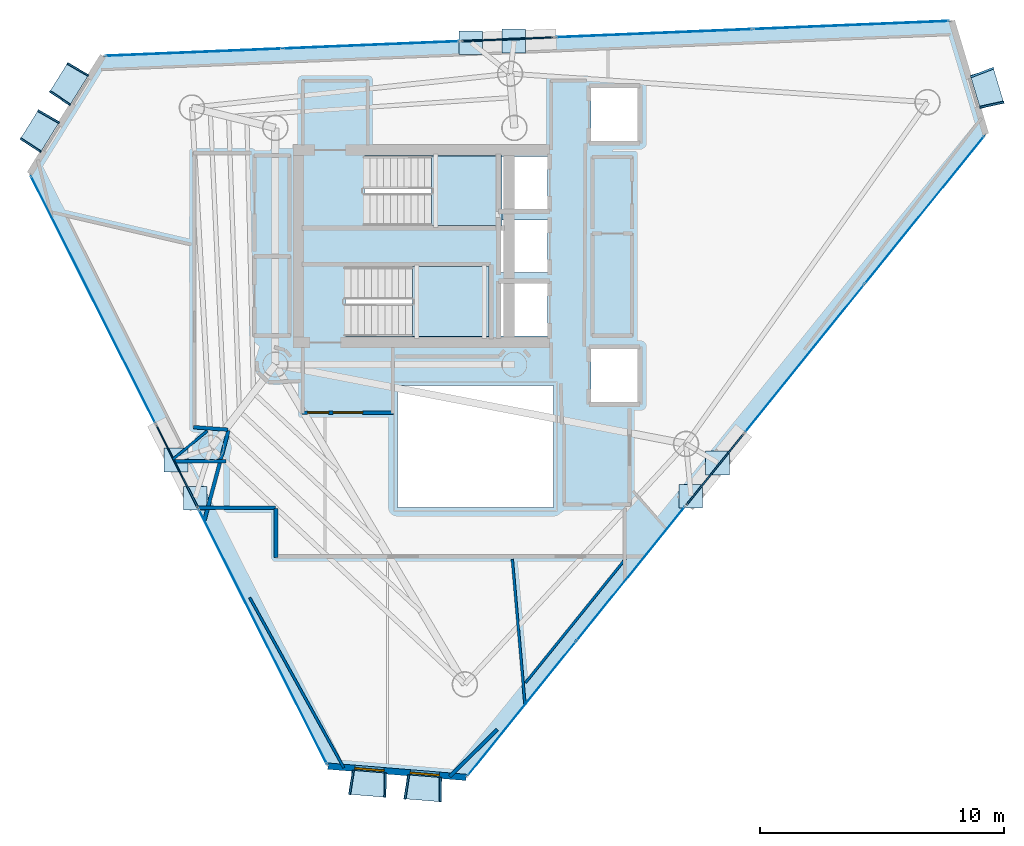
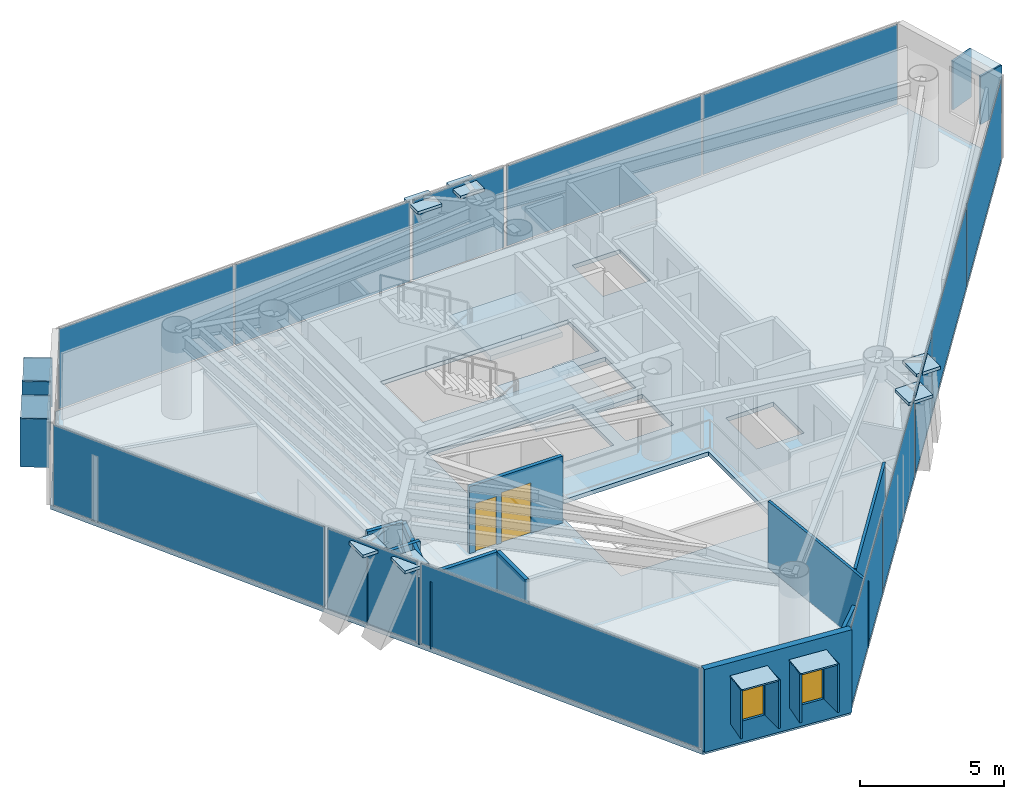
# One storey, part 14 of 19: 34 plates, 12 walls, 3 slabs, 2 doors, 2 windows, 4 openings, 11 elements without a shape of their own.
"""IFC4 building model written with IfcOpenShell, lengths in metres."""

from ifc_helpers import new_model, si_unit, direction, frame, frame_2d, origin, origin_2d, place, context, subcontext, project, spatial, polyline, rectangle, outline, extrude, material, layer, layer_set, type_object, element, fill, aggregate, save


model = new_model("IFC4")

# Units and contexts
model_context = context("Model", 3, precision=1e-05, world=origin(), true_north=direction((0.0, 1.0)))
body_context = subcontext(model_context, "Body", "Model", "MODEL_VIEW")
ifc_project = project(units=[si_unit("LENGTHUNIT", "METRE"), si_unit("AREAUNIT", "SQUARE_METRE"), si_unit("VOLUMEUNIT", "CUBIC_METRE"), si_unit("PLANEANGLEUNIT", "RADIAN"), si_unit("MASSUNIT", "GRAM", prefix="KILO")], contexts=[model_context])

# Site, building, storey
site_placement = place(None, origin())
site = spatial("IfcSite", under=ifc_project, at=site_placement, CompositionType="ELEMENT")
building_placement = place(site_placement, origin())
building = spatial("IfcBuilding", under=site, at=building_placement, Name="Qianvela Tower", CompositionType="ELEMENT")
storey_placement = place(building_placement, frame((0.0, 0.0, 261.199951171875)))
storey = spatial("IfcBuildingStorey", under=building, at=storey_placement, Name="L67", CompositionType="ELEMENT", Elevation=261.199951171875)

# Curtain wall, plate
ifc_material_1 = material(Name="Anodised Architectural Aluminium and Insulated Spandrel Panel", Category="aluminium")
ifc_layer_1 = layer(ifc_material_1, 0.179931640625)
ifc_layer_set_1 = layer_set([ifc_layer_1], Name="Anodised Architectural Aluminium and Insulated Spandrel Panel")
curtain_wall_type_1 = type_object("IfcCurtainWallType", Name="CW-BRACEBAY", PredefinedType="USERDEFINED", material=ifc_layer_set_1)
curtain_wall_1_placement = place(storey_placement, origin())
curtain_wall_1 = element("IfcCurtainWall", 1, at=curtain_wall_1_placement, inside=storey, type_object=curtain_wall_type_1, Name="L67 CW-BRACEBAY Curtain Wall 02B", ObjectType="CURTAIN_WALL_SYSTEM", PredefinedType="USERDEFINED")
ifc_material_2 = material(Name="Insulated Aluminium Spandrel Panel with Mineral-Wool Backpan", Category="aluminium")
ifc_layer_2 = layer(ifc_material_2, 0.06005859375)
ifc_layer_set_2 = layer_set([ifc_layer_2], Name="Insulated Aluminium Spandrel Panel with Mineral-Wool Backpan")
plate_type_1 = type_object("IfcPlateType", Name="CW-BRACEBAY-PNL", PredefinedType="CURTAIN_PANEL", material=ifc_layer_set_2)
plate_1_placement = place(storey_placement, frame((38.11572265625, 37.182861328125, 0.06494140625), z_axis=(0.0, 0.0, 1.0), x_axis=(-0.999147122375, -0.041291982869, 0.0)))
plate_1 = element("IfcPlate", 2, at=plate_1_placement, type_object=plate_type_1, Name="CW-9 panel 1.1", PredefinedType="CURTAIN_PANEL", context=body_context, shape_type="SweptSolid", body=[
    extrude(rectangle(XDim=3.739990234375, YDim=0.06005859375, at=origin_2d()), origin(), (0.0, 0.0, 1.0), 3.389892578125),
])
aggregate(curtain_wall_1, [plate_1])

curtain_wall_2_placement = place(storey_placement, origin())
curtain_wall_2 = element("IfcCurtainWall", 3, at=curtain_wall_2_placement, inside=storey, type_object=curtain_wall_type_1, Name="L67 CW-BRACEBAY Curtain Wall 04B", ObjectType="CURTAIN_WALL_SYSTEM", PredefinedType="USERDEFINED")
plate_2_placement = place(storey_placement, frame((24.57421875, 19.67529296875, 0.06494140625), z_axis=(0.0, 0.0, 1.0), x_axis=(0.449634610809, -0.893212582067, 0.0)))
plate_2 = element("IfcPlate", 4, at=plate_2_placement, type_object=plate_type_1, Name="CW-9 panel 1.1", PredefinedType="CURTAIN_PANEL", context=body_context, shape_type="SweptSolid", body=[
    extrude(rectangle(XDim=3.75, YDim=0.06005859375, at=origin_2d()), origin(), (0.0, 0.0, 1.0), 3.389892578125),
])
aggregate(curtain_wall_2, [plate_2])

curtain_wall_3_placement = place(storey_placement, origin())
curtain_wall_3 = element("IfcCurtainWall", 5, at=curtain_wall_3_placement, inside=storey, type_object=curtain_wall_type_1, Name="L67 CW-BRACEBAY Curtain Wall 06B", ObjectType="CURTAIN_WALL_SYSTEM", PredefinedType="USERDEFINED")
plate_3_placement = place(storey_placement, frame((46.619384765625, 19.549072265625, 0.06494140625), z_axis=(0.0, 0.0, 1.0), x_axis=(0.628321305784, 0.77795394253, 0.0)))
plate_3 = element("IfcPlate", 6, at=plate_3_placement, type_object=plate_type_1, Name="CW-9 panel 1.1", PredefinedType="CURTAIN_PANEL", context=body_context, shape_type="SweptSolid", body=[
    extrude(rectangle(XDim=3.699951171875, YDim=0.06005859375, at=origin_2d()), origin(), (0.0, 0.0, 1.0), 3.389892578125),
])
aggregate(curtain_wall_3, [plate_3])

# Curtain wall, plates
ifc_material_3 = material(Name="Anodised Architectural Aluminium and Low-E Glass", Category="aluminium")
ifc_layer_3 = layer(ifc_material_3, 0.159912109375)
ifc_layer_set_3 = layer_set([ifc_layer_3], Name="Anodised Architectural Aluminium and Low-E Glass")
curtain_wall_type_2 = type_object("IfcCurtainWallType", Name="CW-COLIV-Z56", PredefinedType="USERDEFINED", material=ifc_layer_set_3)
curtain_wall_4_placement = place(storey_placement, origin())
curtain_wall_4 = element("IfcCurtainWall", 7, at=curtain_wall_4_placement, inside=storey, type_object=curtain_wall_type_2, Name="L67 CW-COLIV-Z56 Curtain Wall 02A", ObjectType="CURTAIN_WALL_SYSTEM", PredefinedType="USERDEFINED")
ifc_material_4 = material(Name="Double-Silver Low-E Insulated Glass", Category="glass")
ifc_layer_4 = layer(ifc_material_4, 0.028076171875)
ifc_layer_set_4 = layer_set([ifc_layer_4], Name="Double-Silver Low-E Insulated Glass")
plate_type_2 = type_object("IfcPlateType", Name="CW-COLIV-Z56-PNL", PredefinedType="CURTAIN_PANEL", material=ifc_layer_set_4)
plate_4_placement = place(storey_placement, frame((52.202392578125, 37.76513671875, 0.06005859375), z_axis=(0.0, 0.0, 1.0), x_axis=(-0.999146816899, -0.041299373858, 0.0)))
plate_4 = element("IfcPlate", 8, at=plate_4_placement, type_object=plate_type_2, Name="CW-5 panel 1.1", PredefinedType="CURTAIN_PANEL", context=body_context, shape_type="SweptSolid", body=[
    extrude(rectangle(XDim=8.0224609375, YDim=0.028076171875, at=origin_2d()), origin(), (0.0, 0.0, 1.0), 3.39990234375),
])
plate_5_placement = place(storey_placement, frame((44.121826171875, 37.43115234375, 0.06005859375), z_axis=(0.0, 0.0, 1.0), x_axis=(-0.999146816899, -0.041299373858, 0.0)))
plate_5 = element("IfcPlate", 9, at=plate_5_placement, type_object=plate_type_2, Name="CW-5 panel 2.1", PredefinedType="CURTAIN_PANEL", context=body_context, shape_type="SweptSolid", body=[
    extrude(rectangle(XDim=8.0224609375, YDim=0.028076171875, at=origin_2d()), origin(), (0.0, 0.0, 1.0), 3.39990234375),
])
aggregate(curtain_wall_4, [plate_4, plate_5])

curtain_wall_5_placement = place(storey_placement, origin())
curtain_wall_5 = element("IfcCurtainWall", 10, at=curtain_wall_5_placement, inside=storey, type_object=curtain_wall_type_2, Name="L67 CW-COLIV-Z56 Curtain Wall 02C", ObjectType="CURTAIN_WALL_SYSTEM", PredefinedType="USERDEFINED")
plate_6_placement = place(storey_placement, frame((32.517822265625, 36.951416015625, 0.06005859375), z_axis=(0.0, 0.0, 1.0), x_axis=(-0.999146806727, -0.041299619949, 0.0)))
plate_6 = element("IfcPlate", 11, at=plate_6_placement, type_object=plate_type_2, Name="CW-5 panel 1.1", PredefinedType="CURTAIN_PANEL", context=body_context, shape_type="SweptSolid", body=[
    extrude(rectangle(XDim=7.205322265625, YDim=0.028076171875, at=origin_2d()), origin(), (0.0, 0.0, 1.0), 3.39990234375),
])
plate_7_placement = place(storey_placement, frame((25.25390625, 36.651123046875, 0.06005859375), z_axis=(0.0, 0.0, 1.0), x_axis=(-0.999146806727, -0.041299619949, 0.0)))
plate_7 = element("IfcPlate", 12, at=plate_7_placement, type_object=plate_type_2, Name="CW-5 panel 2.1", PredefinedType="CURTAIN_PANEL", context=body_context, shape_type="SweptSolid", body=[
    extrude(rectangle(XDim=7.205322265625, YDim=0.028076171875, at=origin_2d()), origin(), (0.0, 0.0, 1.0), 3.39990234375),
])
aggregate(curtain_wall_5, [plate_6, plate_7])

# Curtain wall, plate
curtain_wall_6_placement = place(storey_placement, origin())
curtain_wall_6 = element("IfcCurtainWall", 13, at=curtain_wall_6_placement, inside=storey, type_object=curtain_wall_type_2, Name="L67 CW-COLIV-Z56 Curtain Wall 04A", ObjectType="CURTAIN_WALL_SYSTEM", PredefinedType="USERDEFINED")
plate_8_placement = place(storey_placement, frame((21.130126953125, 26.517333984375, 0.06005859375), z_axis=(0.0, 0.0, 1.0), x_axis=(0.449628068959, -0.893215875141, 0.0)))
plate_8 = element("IfcPlate", 14, at=plate_8_placement, type_object=plate_type_2, Name="CW-5 panel 1.1", PredefinedType="CURTAIN_PANEL", context=body_context, shape_type="SweptSolid", body=[
    extrude(rectangle(XDim=11.309814453125, YDim=0.028076171875, at=origin_2d()), origin(), (0.0, 0.0, 1.0), 3.39990234375),
])
aggregate(curtain_wall_6, [plate_8])

curtain_wall_7_placement = place(storey_placement, origin())
curtain_wall_7 = element("IfcCurtainWall", 15, at=curtain_wall_7_placement, inside=storey, type_object=curtain_wall_type_2, Name="L67 CW-COLIV-Z56 Curtain Wall 04C", ObjectType="CURTAIN_WALL_SYSTEM", PredefinedType="USERDEFINED")
plate_9_placement = place(storey_placement, frame((28.091552734375, 12.688232421875, 0.06005859375), z_axis=(0.0, 0.0, 1.0), x_axis=(0.449629342454, -0.893215234087, 0.0)))
plate_9 = element("IfcPlate", 16, at=plate_9_placement, type_object=plate_type_2, Name="CW-5 panel 1.1", PredefinedType="CURTAIN_PANEL", context=body_context, shape_type="SweptSolid", body=[
    extrude(rectangle(XDim=11.634765625, YDim=0.028076171875, at=origin_2d()), origin(), (0.0, 0.0, 1.0), 3.39990234375),
])
aggregate(curtain_wall_7, [plate_9])

# Curtain wall, plates
curtain_wall_8_placement = place(storey_placement, origin())
curtain_wall_8 = element("IfcCurtainWall", 17, at=curtain_wall_8_placement, inside=storey, type_object=curtain_wall_type_2, Name="L67 CW-COLIV-Z56 Curtain Wall 06A", ObjectType="CURTAIN_WALL_SYSTEM", PredefinedType="USERDEFINED")
plate_10_placement = place(storey_placement, frame((38.706298828125, 9.751708984375, 0.06005859375), z_axis=(0.0, 0.0, 1.0), x_axis=(0.628331394012, 0.777945794576, 0.0)))
plate_10 = element("IfcPlate", 18, at=plate_10_placement, type_object=plate_type_2, Name="CW-5 panel 1.1", PredefinedType="CURTAIN_PANEL", context=body_context, shape_type="SweptSolid", body=[
    extrude(rectangle(XDim=7.032470703125, YDim=0.028076171875, at=origin_2d()), origin(), (0.0, 0.0, 1.0), 3.39990234375),
])
plate_11_placement = place(storey_placement, frame((43.166015625, 15.273193359375, 0.06005859375), z_axis=(0.0, 0.0, 1.0), x_axis=(0.628331394012, 0.777945794576, 0.0)))
plate_11 = element("IfcPlate", 19, at=plate_11_placement, type_object=plate_type_2, Name="CW-5 panel 2.1", PredefinedType="CURTAIN_PANEL", context=body_context, shape_type="SweptSolid", body=[
    extrude(rectangle(XDim=7.032470703125, YDim=0.028076171875, at=origin_2d()), origin(), (0.0, 0.0, 1.0), 3.39990234375),
])
aggregate(curtain_wall_8, [plate_10, plate_11])

curtain_wall_9_placement = place(storey_placement, origin())
curtain_wall_9 = element("IfcCurtainWall", 20, at=curtain_wall_9_placement, inside=storey, type_object=curtain_wall_type_2, Name="L67 CW-COLIV-Z56 Curtain Wall 06C", ObjectType="CURTAIN_WALL_SYSTEM", PredefinedType="USERDEFINED")
plate_12_placement = place(storey_placement, frame((50.299072265625, 24.104736328125, 0.06005859375), z_axis=(0.0, 0.0, 1.0), x_axis=(0.628331472885, 0.777945730872, 0.0)))
plate_12 = element("IfcPlate", 21, at=plate_12_placement, type_object=plate_type_2, Name="CW-5 panel 1.1", PredefinedType="CURTAIN_PANEL", context=body_context, shape_type="SweptSolid", body=[
    extrude(rectangle(XDim=7.751953125, YDim=0.028076171875, at=origin_2d()), origin(), (0.0, 0.0, 1.0), 3.39990234375),
])
plate_13_placement = place(storey_placement, frame((55.210693359375, 30.185791015625, 0.06005859375), z_axis=(0.0, 0.0, 1.0), x_axis=(0.628331472885, 0.777945730872, 0.0)))
plate_13 = element("IfcPlate", 22, at=plate_13_placement, type_object=plate_type_2, Name="CW-5 panel 2.1", PredefinedType="CURTAIN_PANEL", context=body_context, shape_type="SweptSolid", body=[
    extrude(rectangle(XDim=7.751953125, YDim=0.028076171875, at=origin_2d()), origin(), (0.0, 0.0, 1.0), 3.39990234375),
])
aggregate(curtain_wall_9, [plate_12, plate_13])

# Plates
ifc_material_5 = material(Name="Steel Q420GJC", Category="steel")
ifc_layer_5 = layer(ifc_material_5, 0.1298828125)
ifc_layer_set_5 = layer_set([ifc_layer_5], Name="Steel Q420GJC")
plate_type_3 = type_object("IfcPlateType", Name="PT-ENDCAP-130", PredefinedType="USERDEFINED", material=ifc_layer_set_5)
for number, where, z_axis, x_axis, name in (
    (23, (38.369384765625, 37.11328125, 3.20947265625), (0.0, 0.0, 1.0), (1.0, 0.0, 0.0), "L67 Hollow Section End Cap Plate B"),
    (24, (36.618408203125, 37.041015625, 3.20947265625), (0.0, 0.0, 1.0), (1.0, 0.0, 0.0), "L67 Hollow Section End Cap Plate B"),
    (25, (24.53271484375, 19.935791015625, 3.20947265625), (0.0, 0.0, 1.0), (1.0, 0.0, 0.0), "L67 Hollow Section End Cap Plate B"),
    (26, (25.32080078125, 18.37060546875, 3.20947265625), (0.0, 0.0, 1.0), (1.0, 0.0, 0.0), "L67 Hollow Section End Cap Plate B"),
    (27, (45.62744140625, 18.447998046875, 3.209716796875), (0.0, 0.0, 1.0), (1.0, 0.0, 0.0), "L67 Hollow Section End Cap Plate B"),
    (28, (46.728515625, 19.8115234375, 3.209716796875), (0.0, 0.0, 1.0), (1.0, 0.0, 0.0), "L67 Hollow Section End Cap Plate B"),
):
    element("IfcPlate", number, at=place(storey_placement, frame(where, z_axis=z_axis, x_axis=x_axis)), inside=storey, type_object=plate_type_3, Name=name, ObjectType="END_CAP", PredefinedType="USERDEFINED", context=body_context, shape_type="SweptSolid", body=[
        extrude(rectangle(XDim=0.969970703125, YDim=0.969970703125, at=origin_2d()), origin(), (0.0, 0.0, 1.0), 0.1298828125),
    ])

# Slab
ifc_material_6 = material(Name="Concrete C40", Category="concrete")
ifc_layer_6 = layer(ifc_material_6, 0.179931640625)
ifc_layer_set_6 = layer_set([ifc_layer_6], Name="Concrete C40")
slab_type_1 = type_object("IfcSlabType", Name="SL-FLOOR-180", PredefinedType="FLOOR", material=ifc_layer_set_6)
slab_1_placement = place(storey_placement, frame((0.0, 0.0, -0.179931640625)))
element("IfcSlab", 29, at=slab_1_placement, inside=storey, type_object=slab_type_1, Name="L67 Composite Structural Floor Slab", PredefinedType="FLOOR", context=body_context, shape_type="SweptSolid", body=[
    extrude(outline(polyline([(57.71826171875, 33.290771484375), (56.3251953125, 37.935546875), (21.539306640625, 36.49755859375), (18.535888671875, 31.671142578125), (30.7587890625, 7.38916015625), (36.4248046875, 6.9267578125), (57.71826171875, 33.290771484375)]), holes=[polyline([(40.0, 23.0), (33.60009765625, 23.0), (33.60009765625, 18.0), (40.0, 18.0), (40.0, 23.0)]), polyline([(43.4599609375, 24.47998046875), (41.5400390625, 24.47998046875), (41.5400390625, 22.320068359375), (43.4599609375, 22.320068359375), (43.4599609375, 24.47998046875)]), polyline([(39.760009765625, 27.179931640625), (37.840087890625, 27.179931640625), (37.840087890625, 25.02001953125), (39.760009765625, 25.02001953125), (39.760009765625, 27.179931640625)]), polyline([(37.35009765625, 27.860107421875), (31.469970703125, 27.860107421875), (31.469970703125, 25.0), (37.35009765625, 25.0), (37.35009765625, 27.860107421875)]), polyline([(39.760009765625, 27.6201171875), (39.760009765625, 29.780029296875), (37.89990234375, 29.780029296875), (37.89990234375, 30.219970703125), (39.760009765625, 30.219970703125), (39.760009765625, 32.3798828125), (37.89990234375, 32.3798828125), (37.89990234375, 32.39990234375), (32.25, 32.39990234375), (32.25, 29.5400390625), (37.840087890625, 29.5400390625), (37.840087890625, 27.6201171875), (39.760009765625, 27.6201171875)]), polyline([(43.4599609375, 35.179931640625), (41.5400390625, 35.179931640625), (41.5400390625, 33.02001953125), (43.4599609375, 33.02001953125), (43.4599609375, 35.179931640625)])]), origin(), (0.0, 0.0, 1.0), 0.179931640625),
])

# Stair, slab
ifc_material_7 = material(Name="Concrete C40", Category="concrete")
stair_type = type_object("IfcStairType", Name="ST-DOGLEG-1350-R168-N22", PredefinedType="HALF_TURN_STAIR", material=ifc_material_7)
stair_1_placement = place(storey_placement, origin())
stair_1 = element("IfcStair", 30, at=stair_1_placement, inside=storey, type_object=stair_type, Name="L67 Smoke-Proof Core Stair ST-1", PredefinedType="HALF_TURN_STAIR")
ifc_material_8 = material(Name="Concrete C40", Category="concrete")
ifc_layer_7 = layer(ifc_material_8, 0.199951171875)
ifc_layer_set_7 = layer_set([ifc_layer_7], Name="Concrete C40")
slab_type_2 = type_object("IfcSlabType", Name="SL-STAIR-LANDING-200", PredefinedType="LANDING", material=ifc_layer_set_7)
slab_2_placement = place(storey_placement, frame((0.0, 0.0, 1.650146484375)))
slab_2 = element("IfcSlab", 31, at=slab_2_placement, type_object=slab_type_2, Name="ST-1 landing 1", PredefinedType="LANDING", context=body_context, shape_type="SweptSolid", body=[
    extrude(outline(polyline([(35.0, 29.5400390625), (37.89990234375, 29.5400390625), (37.89990234375, 32.39990234375), (35.0, 32.39990234375), (35.0, 29.5400390625)])), origin(), (0.0, 0.0, 1.0), 0.199951171875),
])
aggregate(stair_1, [slab_2])

stair_2_placement = place(storey_placement, origin())
stair_2 = element("IfcStair", 32, at=stair_2_placement, inside=storey, type_object=stair_type, Name="L67 Smoke-Proof Core Stair ST-2", PredefinedType="HALF_TURN_STAIR")
slab_3_placement = place(storey_placement, frame((0.0, 0.0, 1.650146484375)))
slab_3 = element("IfcSlab", 33, at=slab_3_placement, type_object=slab_type_2, Name="ST-2 landing 1", PredefinedType="LANDING", context=body_context, shape_type="SweptSolid", body=[
    extrude(outline(polyline([(34.219970703125, 25.0), (37.35009765625, 25.0), (37.35009765625, 27.860107421875), (34.219970703125, 27.860107421875), (34.219970703125, 25.0)])), origin(), (0.0, 0.0, 1.0), 0.199951171875),
])
aggregate(stair_2, [slab_3])

# Plates
ifc_material_9 = material(Name="Vitrified Architectural Terracotta Panel", Category="masonry")
ifc_layer_8 = layer(ifc_material_9, 0.06494140625)
ifc_layer_set_8 = layer_set([ifc_layer_8], Name="Vitrified Architectural Terracotta Panel")
plate_type_4 = type_object("IfcPlateType", Name="TERRACOTTA-SUNSHADE-HOOD-FOLD-B", PredefinedType="USERDEFINED", material=ifc_layer_set_8)
for number, where, z_axis, x_axis, name in (
    (34, (20.1416015625, 35.358642578125, 2.909912109375), (0.0, 0.0, 1.0), (-0.528344982215, -0.849029787327, 0.0), "L67 Terracotta Sunshade Hood FOLD-B"),
    (35, (18.940185546875, 33.427978515625, 2.909912109375), (0.0, 0.0, 1.0), (-0.528344982215, -0.849029787327, 0.0), "L67 Terracotta Sunshade Hood FOLD-B"),
):
    element("IfcPlate", number, at=place(storey_placement, frame(where, z_axis=z_axis, x_axis=x_axis)), inside=storey, type_object=plate_type_4, Name=name, ObjectType="SUNSHADE", PredefinedType="USERDEFINED", context=body_context, shape_type="SweptSolid", body=[
        extrude(rectangle(XDim=1.43994140625, YDim=0.989990234375, at=origin_2d()), origin(), (0.0, 0.0, 1.0), 0.06005859375),
    ])
ifc_material_10 = material(Name="Vitrified Architectural Terracotta Panel", Category="masonry")
ifc_layer_9 = layer(ifc_material_10, 0.074951171875)
ifc_layer_set_9 = layer_set([ifc_layer_9], Name="Vitrified Architectural Terracotta Panel")
plate_type_5 = type_object("IfcPlateType", Name="TERRACOTTA-SUNSHADE-HOOD-FOLD-D", PredefinedType="USERDEFINED", material=ifc_layer_set_9)
for number, where, z_axis, x_axis, name in (
    (36, (57.768798828125, 35.15869140625, 2.909912109375), (0.0, 0.0, 1.0), (-0.287302009267, 0.957840046913, 0.0), "L67 Terracotta Sunshade Hood FOLD-D"),
    (37, (32.4111328125, 6.66748046875, 2.909912109375), (0.0, 0.0, 1.0), (0.996686402514, -0.081340119525, 0.0), "L67 Terracotta Sunshade Hood FOLD-D"),
    (38, (34.677490234375, 6.482421875, 2.909912109375), (0.0, 0.0, 1.0), (0.996686402514, -0.081340119525, 0.0), "L67 Terracotta Sunshade Hood FOLD-D"),
):
    element("IfcPlate", number, at=place(storey_placement, frame(where, z_axis=z_axis, x_axis=x_axis)), inside=storey, type_object=plate_type_5, Name=name, ObjectType="SUNSHADE", PredefinedType="USERDEFINED", context=body_context, shape_type="SweptSolid", body=[
        extrude(rectangle(XDim=1.43994140625, YDim=0.989990234375, at=origin_2d()), origin(), (0.0, 0.0, 1.0), 0.06005859375),
    ])
ifc_material_11 = material(Name="Vitrified Architectural Terracotta Side Fin Panel", Category="masonry")
ifc_layer_10 = layer(ifc_material_11, 0.070068359375)
ifc_layer_set_10 = layer_set([ifc_layer_10], Name="Vitrified Architectural Terracotta Side Fin Panel")
plate_type_6 = type_object("IfcPlateType", Name="TERRACOTTA-SUNSHADE-STRUT-FOLD-B", PredefinedType="USERDEFINED", material=ifc_layer_set_10)
for number, where, z_axis, x_axis, name in (
    (39, (20.506103515625, 35.944580078125, 0.89990234375), (0.0, 0.0, 1.0), (-0.502170449899, -0.864768662273, 0.0), "L67 Terracotta Sunshade Side Fin HL FOLD-B"),
    (40, (19.777099609375, 34.77294921875, 0.89990234375), (0.0, 0.0, 1.0), (-0.55402666465, -0.832498921835, 0.0), "L67 Terracotta Sunshade Side Fin HR FOLD-B"),
    (41, (19.3046875, 34.013916015625, 0.89990234375), (0.0, 0.0, 1.0), (-0.502170449899, -0.864768662273, 0.0), "L67 Terracotta Sunshade Side Fin HL FOLD-B"),
    (42, (18.57568359375, 32.84228515625, 0.89990234375), (0.0, 0.0, 1.0), (-0.55402666465, -0.832498921835, 0.0), "L67 Terracotta Sunshade Side Fin HR FOLD-B"),
):
    element("IfcPlate", number, at=place(storey_placement, frame(where, z_axis=z_axis, x_axis=x_axis)), inside=storey, type_object=plate_type_6, Name=name, ObjectType="SUNSHADE", PredefinedType="USERDEFINED", context=body_context, shape_type="SweptSolid", body=[
        extrude(rectangle(XDim=0.070068359375, YDim=1.010009765625, at=origin_2d()), origin(), (0.0, 0.0, 1.0), 2.06005859375),
    ])
ifc_material_12 = material(Name="Vitrified Architectural Terracotta Side Fin Panel", Category="masonry")
ifc_layer_11 = layer(ifc_material_12, 0.080078125)
ifc_layer_set_11 = layer_set([ifc_layer_11], Name="Vitrified Architectural Terracotta Side Fin Panel")
plate_type_7 = type_object("IfcPlateType", Name="TERRACOTTA-SUNSHADE-STRUT-FOLD-D", PredefinedType="USERDEFINED", material=ifc_layer_set_11)
for number, where, z_axis, x_axis, name in (
    (43, (57.967041015625, 34.497802734375, 0.89990234375), (0.0, 0.0, 1.0), (-0.215527902195, 0.976497682217, 0.0), "L67 Terracotta Sunshade Side Fin HL FOLD-D"),
    (44, (57.570556640625, 35.819580078125, 0.89990234375), (0.0, 0.0, 1.0), (-0.357496061646, 0.933914645943, 0.0), "L67 Terracotta Sunshade Side Fin HR FOLD-D"),
    (45, (31.723388671875, 6.723388671875, 0.89990234375), (0.0, 0.0, 1.0), (0.987917705943, -0.154979373741, 0.0), "L67 Terracotta Sunshade Side Fin HL FOLD-D"),
    (46, (33.098876953125, 6.611328125, 0.89990234375), (0.0, 0.0, 1.0), (0.999973692843, -0.007253524764, 0.0), "L67 Terracotta Sunshade Side Fin HR FOLD-D"),
    (47, (33.98974609375, 6.53857421875, 0.89990234375), (0.0, 0.0, 1.0), (0.987917705943, -0.154979373741, 0.0), "L67 Terracotta Sunshade Side Fin HL FOLD-D"),
    (48, (35.365234375, 6.42626953125, 0.89990234375), (0.0, 0.0, 1.0), (0.999973692843, -0.007253524764, 0.0), "L67 Terracotta Sunshade Side Fin HR FOLD-D"),
):
    element("IfcPlate", number, at=place(storey_placement, frame(where, z_axis=z_axis, x_axis=x_axis)), inside=storey, type_object=plate_type_7, Name=name, ObjectType="SUNSHADE", PredefinedType="USERDEFINED", context=body_context, shape_type="SweptSolid", body=[
        extrude(rectangle(XDim=0.080078125, YDim=1.010009765625, at=origin_2d()), origin(), (0.0, 0.0, 1.0), 2.06005859375),
    ])

# Wall, openings, windows
ifc_material_13 = material(Name="Terracotta Cladding on Concrete C40", Category="masonry")
ifc_layer_12 = layer(ifc_material_13, 0.260009765625)
ifc_layer_set_12 = layer_set([ifc_layer_12], Name="Terracotta Cladding on Concrete C40")
wall_type_1 = type_object("IfcWallType", Name="TERRACOTTA-WALL-260", PredefinedType="SOLIDWALL", material=ifc_layer_set_12)
wall_1_placement = place(storey_placement, frame((30.7587890625, 7.38916015625, 0.0), z_axis=(0.0, 0.0, 1.0), x_axis=(0.996686463462, -0.081339372708, 0.0)))
wall_1 = element("IfcWall", 49, at=wall_1_placement, inside=storey, type_object=wall_type_1, Name="L67 Terracotta Chamfer Facet Wall 5", PredefinedType="SOLIDWALL", context=body_context, shape_type="SweptSolid", body=[
    extrude(rectangle(XDim=5.684814453125, YDim=0.260009765625, at=frame_2d((2.84228515625, 0.0))), origin(), (0.0, 0.0, 1.0), 3.52001953125),
])
opening_1_placement = place(wall_1_placement, frame((1.10546875, 0.0, 0.89990234375)))
opening_1 = element("IfcOpeningElement", 50, at=opening_1_placement, cuts=wall_1, Name="Opening W-03", PredefinedType="OPENING", context=body_context, shape_type="SweptSolid", body=[
    extrude(rectangle(XDim=1.199951171875, YDim=2.0, at=frame_2d((0.60009765625, 1.0))), frame((0.0, 0.139892578125, 0.0), z_axis=(0.0, -1.0, 0.0), x_axis=(1.0, 0.0, 0.0)), (0.0, 0.0, 1.0), 0.280029296875),
])
opening_2_placement = place(wall_1_placement, frame((3.37939453125, 0.0, 0.89990234375)))
opening_2 = element("IfcOpeningElement", 51, at=opening_2_placement, cuts=wall_1, Name="Opening W-03", PredefinedType="OPENING", context=body_context, shape_type="SweptSolid", body=[
    extrude(rectangle(XDim=1.199951171875, YDim=2.0, at=frame_2d((0.60009765625, 1.0))), frame((0.0, 0.139892578125, 0.0), z_axis=(0.0, -1.0, 0.0), x_axis=(1.0, 0.0, 0.0)), (0.0, 0.0, 1.0), 0.280029296875),
])
ifc_material_14 = material(Name="Thermally Broken Aluminium and Low-E Glass", Category="aluminium")
window_type = type_object("IfcWindowType", Name="WIN-TC-1200x2000", PartitioningType="SINGLE_PANEL", PredefinedType="WINDOW", material=ifc_material_14)
window_1_placement = place(opening_1_placement, origin())
window_1 = element("IfcWindow", 52, at=window_1_placement, inside=storey, type_object=window_type, Name="L67 Chamfer Facet Window 5.1", OverallHeight=2.0, OverallWidth=1.199951171875, PartitioningType="SINGLE_PANEL", PredefinedType="WINDOW", context=body_context, shape_type="SweptSolid", body=[
    extrude(rectangle(XDim=1.199951171875, YDim=2.0, at=frame_2d((0.60009765625, 1.0))), frame((0.0, 0.030029296875, 0.0), z_axis=(0.0, -1.0, 0.0), x_axis=(1.0, 0.0, 0.0)), (0.0, 0.0, 1.0), 0.06005859375),
])
fill(opening_1, window_1)
window_2_placement = place(opening_2_placement, origin())
window_2 = element("IfcWindow", 53, at=window_2_placement, inside=storey, type_object=window_type, Name="L67 Chamfer Facet Window 5.2", OverallHeight=2.0, OverallWidth=1.199951171875, PartitioningType="SINGLE_PANEL", PredefinedType="WINDOW", context=body_context, shape_type="SweptSolid", body=[
    extrude(rectangle(XDim=1.199951171875, YDim=2.0, at=frame_2d((0.60009765625, 1.0))), frame((0.0, 0.030029296875, 0.0), z_axis=(0.0, -1.0, 0.0), x_axis=(1.0, 0.0, 0.0)), (0.0, 0.0, 1.0), 0.06005859375),
])
fill(opening_2, window_2)

# Wall, openings, doors
ifc_material_15 = material(Name="Fire-Rated Acoustic Gypsum Board")
ifc_layer_13 = layer(ifc_material_15, 0.14990234375)
ifc_layer_set_13 = layer_set([ifc_layer_13], Name="Fire-Rated Acoustic Gypsum Board")
wall_type_2 = type_object("IfcWallType", Name="WT-CORR-150", PredefinedType="PARTITIONING", material=ifc_layer_set_13)
wall_2_placement = place(storey_placement, frame((33.449951171875, 21.881103515625, 0.0), z_axis=(0.0, 0.0, 1.0), x_axis=(-1.0, 0.0, 0.0)))
wall_2 = element("IfcWall", 54, at=wall_2_placement, inside=storey, type_object=wall_type_2, Name="L67 Partition 5", PredefinedType="PARTITIONING", context=body_context, shape_type="SweptSolid", body=[
    extrude(rectangle(XDim=3.75, YDim=0.14990234375, at=frame_2d((1.875, 0.0))), origin(), (0.0, 0.0, 1.0), 2.840087890625),
])
opening_3_placement = place(wall_2_placement, frame((1.27490234375, 0.0, 0.0)))
opening_3 = element("IfcOpeningElement", 55, at=opening_3_placement, cuts=wall_2, Name="Opening D-LB1", PredefinedType="OPENING", context=body_context, shape_type="SweptSolid", body=[
    extrude(rectangle(XDim=1.199951171875, YDim=2.14990234375, at=frame_2d((0.60009765625, 1.074951171875))), frame((0.0, 0.0849609375, 0.0), z_axis=(0.0, -1.0, 0.0), x_axis=(1.0, 0.0, 0.0)), (0.0, 0.0, 1.0), 0.169921875),
])
opening_4_placement = place(wall_2_placement, frame((2.659912109375, 0.0, 0.0)))
opening_4 = element("IfcOpeningElement", 56, at=opening_4_placement, cuts=wall_2, Name="Opening D-LB2", PredefinedType="OPENING", context=body_context, shape_type="SweptSolid", body=[
    extrude(rectangle(XDim=0.860107421875, YDim=2.050048828125, at=frame_2d((0.43017578125, 1.02490234375))), frame((0.0, 0.0849609375, 0.0), z_axis=(0.0, -1.0, 0.0), x_axis=(1.0, 0.0, 0.0)), (0.0, 0.0, 1.0), 0.169921875),
])
ifc_material_16 = material(Name="Glazed Fire-Rated Steel Frame", Category="steel")
door_type_1 = type_object("IfcDoorType", Name="DT-LOBBY-FD90", OperationType="NOTDEFINED", PredefinedType="DOOR", material=ifc_material_16)
door_1_placement = place(opening_3_placement, origin())
door_1 = element("IfcDoor", 57, at=door_1_placement, inside=storey, type_object=door_type_1, Name="L67 Door L67 Firefighting Lobby South to L67 Floor Corridor", OperationType="SINGLE_SWING_LEFT", OverallHeight=2.14990234375, OverallWidth=1.199951171875, PredefinedType="DOOR", context=body_context, shape_type="SweptSolid", body=[
    extrude(rectangle(XDim=1.199951171875, YDim=2.14990234375, at=frame_2d((0.60009765625, 1.074951171875))), frame((0.0, 0.02490234375, 0.0), z_axis=(0.0, -1.0, 0.0), x_axis=(1.0, 0.0, 0.0)), (0.0, 0.0, 1.0), 0.050048828125),
])
fill(opening_3, door_1)
ifc_material_17 = material(Name="Insulated Steel Fire Door Q355B", Category="steel")
door_type_2 = type_object("IfcDoorType", Name="DT-LOBBY-FD90-860", OperationType="NOTDEFINED", PredefinedType="DOOR", material=ifc_material_17)
door_2_placement = place(opening_4_placement, origin())
door_2 = element("IfcDoor", 58, at=door_2_placement, inside=storey, type_object=door_type_2, Name="L67 Door L67 Firefighting Lobby South to L67 Floor Corridor", OperationType="SINGLE_SWING_LEFT", OverallHeight=2.050048828125, OverallWidth=0.860107421875, PredefinedType="DOOR", context=body_context, shape_type="SweptSolid", body=[
    extrude(rectangle(XDim=0.860107421875, YDim=2.050048828125, at=frame_2d((0.43017578125, 1.02490234375))), frame((0.0, 0.02490234375, 0.0), z_axis=(0.0, -1.0, 0.0), x_axis=(1.0, 0.0, 0.0)), (0.0, 0.0, 1.0), 0.050048828125),
])
fill(opening_4, door_2)

# Walls
wall_3_placement = place(storey_placement, frame((28.631103515625, 15.949951171875, 0.0), z_axis=(0.0, 0.0, 1.0), x_axis=(0.0, 1.0, 0.0)))
element("IfcWall", 59, at=wall_3_placement, inside=storey, type_object=wall_type_2, Name="L67 Partition 62", PredefinedType="PARTITIONING", context=body_context, shape_type="SweptSolid", body=[
    extrude(rectangle(XDim=2.0, YDim=0.14990234375, at=frame_2d((1.0, 0.0))), origin(), (0.0, 0.0, 1.0), 2.840087890625),
])
wall_4_placement = place(storey_placement, frame((28.60009765625, 17.98095703125, 0.0), z_axis=(0.0, 0.0, 1.0), x_axis=(-1.0, 0.0, 0.0)))
element("IfcWall", 60, at=wall_4_placement, inside=storey, type_object=wall_type_2, Name="L67 Partition 63", PredefinedType="PARTITIONING", context=body_context, shape_type="SweptSolid", body=[
    extrude(rectangle(XDim=3.19287109375, YDim=0.14990234375, at=frame_2d((1.596435546875, 0.0))), origin(), (0.0, 0.0, 1.0), 2.840087890625),
])
wall_5_placement = place(storey_placement, frame((25.693115234375, 17.45263671875, 0.0), z_axis=(0.0, 0.0, 1.0), x_axis=(0.258115276845, 0.966114125691, 0.0)))
element("IfcWall", 61, at=wall_5_placement, inside=storey, type_object=wall_type_2, Name="L67 Partition 64", PredefinedType="PARTITIONING", context=body_context, shape_type="SweptSolid", body=[
    extrude(rectangle(XDim=3.826904296875, YDim=0.14990234375, at=frame_2d((1.91357421875, 0.0))), origin(), (0.0, 0.0, 1.0), 2.840087890625),
])
wall_6_placement = place(storey_placement, frame((26.65234375, 21.180908203125, 0.0), z_axis=(0.0, 0.0, 1.0), x_axis=(-0.997303696291, 0.073384857861, 0.0)))
element("IfcWall", 62, at=wall_6_placement, inside=storey, type_object=wall_type_2, Name="L67 Partition 65", PredefinedType="PARTITIONING", context=body_context, shape_type="SweptSolid", body=[
    extrude(rectangle(XDim=1.404052734375, YDim=0.14990234375, at=frame_2d((0.7021484375, 0.0))), origin(), (0.0, 0.0, 1.0), 2.840087890625),
])
ifc_material_18 = material(Name="Lightweight Gypsum Room Partition")
ifc_layer_14 = layer(ifc_material_18, 0.10498046875)
ifc_layer_set_14 = layer_set([ifc_layer_14], Name="Lightweight Gypsum Room Partition")
wall_type_3 = type_object("IfcWallType", Name="WT-PART-105", PredefinedType="PARTITIONING", material=ifc_layer_set_14)
wall_7_placement = place(storey_placement, frame((25.814453125, 21.131591796875, 0.0), z_axis=(0.0, 0.0, 1.0), x_axis=(-0.771278190756, -0.636498195177, 0.0)))
element("IfcWall", 63, at=wall_7_placement, inside=storey, type_object=wall_type_3, Name="L67 Partition 69", PredefinedType="PARTITIONING", context=body_context, shape_type="SweptSolid", body=[
    extrude(rectangle(XDim=1.82763671875, YDim=0.10498046875, at=frame_2d((0.913818359375, 0.0))), origin(), (0.0, 0.0, 1.0), 2.840087890625),
])
wall_8_placement = place(storey_placement, frame((38.313232421875, 15.8671875, 0.0), z_axis=(0.0, 0.0, 1.0), x_axis=(0.087163416737, -0.996194026675, 0.0)))
element("IfcWall", 64, at=wall_8_placement, inside=storey, type_object=wall_type_3, Name="L67 Partition 78", PredefinedType="PARTITIONING", context=body_context, shape_type="SweptSolid", body=[
    extrude(rectangle(XDim=5.999755859375, YDim=0.10498046875, at=frame_2d((3.0, 0.0))), origin(), (0.0, 0.0, 1.0), 2.840087890625),
])
wall_9_placement = place(storey_placement, frame((31.411376953125, 7.31884765625, 0.0), z_axis=(0.0, 0.0, 1.0), x_axis=(-0.48414266405, 0.874989074701, 0.0)))
element("IfcWall", 65, at=wall_9_placement, inside=storey, type_object=wall_type_3, Name="L67 Partition 81 seg 1", PredefinedType="PARTITIONING", context=body_context, shape_type="SweptSolid", body=[
    extrude(rectangle(XDim=7.97607421875, YDim=0.10498046875, at=frame_2d((3.988037109375, 0.0))), origin(), (0.0, 0.0, 1.0), 2.840087890625),
])
wall_10_placement = place(storey_placement, frame((42.962890625, 15.8984375, 0.0), z_axis=(0.0, 0.0, 1.0), x_axis=(-0.628353599123, -0.777927859425, 0.0)))
element("IfcWall", 66, at=wall_10_placement, inside=storey, type_object=wall_type_3, Name="L67 Partition 84", PredefinedType="PARTITIONING", context=body_context, shape_type="SweptSolid", body=[
    extrude(rectangle(XDim=6.546875, YDim=0.10498046875, at=frame_2d((3.2734375, 0.0))), origin(), (0.0, 0.0, 1.0), 2.840087890625),
])
ifc_material_19 = material(Name="Acoustic Double Gypsum Stud Partition")
ifc_layer_15 = layer(ifc_material_19, 0.139892578125)
ifc_layer_set_15 = layer_set([ifc_layer_15], Name="Acoustic Double Gypsum Stud Partition")
wall_type_4 = type_object("IfcWallType", Name="WT-ROOM-140", PredefinedType="PARTITIONING", material=ifc_layer_set_15)
wall_11_placement = place(storey_placement, frame((37.697265625, 8.88427734375, 0.0), z_axis=(0.0, 0.0, 1.0), x_axis=(-0.712707537724, -0.701461307323, 0.0)))
element("IfcWall", 67, at=wall_11_placement, inside=storey, type_object=wall_type_4, Name="L67 Partition 79 seg 1", PredefinedType="PARTITIONING", context=body_context, shape_type="SweptSolid", body=[
    extrude(rectangle(XDim=2.7353515625, YDim=0.139892578125, at=frame_2d((1.36767578125, 0.0))), origin(), (0.0, 0.0, 1.0), 2.840087890625),
])
wall_12_placement = place(storey_placement, frame((24.44921875, 19.88427734375, 0.0), z_axis=(0.0, 0.0, 1.0), x_axis=(1.0, 0.0, 0.0)))
element("IfcWall", 68, at=wall_12_placement, inside=storey, type_object=wall_type_4, Name="L67 Partition 82", PredefinedType="PARTITIONING", context=body_context, shape_type="SweptSolid", body=[
    extrude(rectangle(XDim=2.121337890625, YDim=0.139892578125, at=frame_2d((1.060546875, 0.0))), origin(), (0.0, 0.0, 1.0), 2.840087890625),
])

save(model, "model.ifc")
